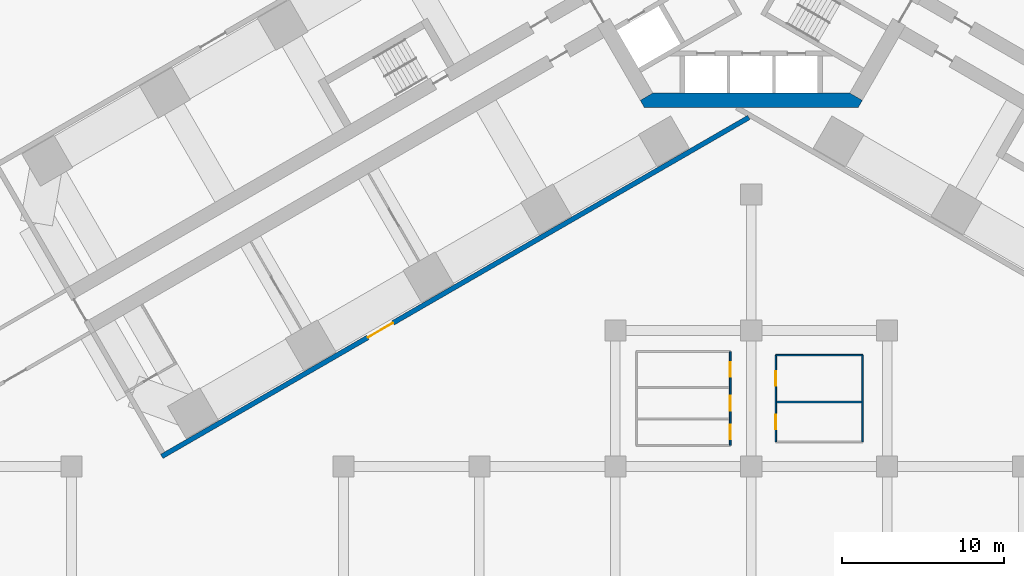
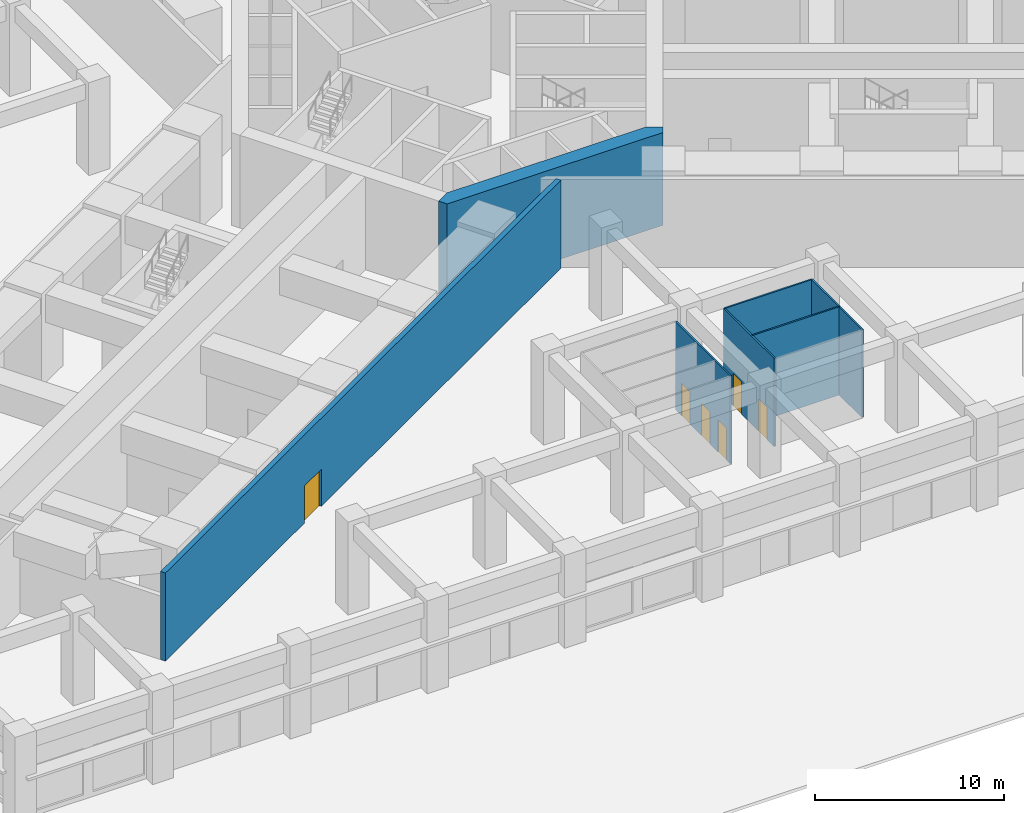
# One storey, part 7 of 33: 7 walls, 6 doors, 6 openings.
"""IFC4 building model written with IfcOpenShell, lengths in metres."""

from ifc_helpers import new_model, si_unit, direction, frame, frame_2d, origin, place, context, subcontext, project, spatial, polyline, rectangle, outline, extrude, material, layer, layer_set, type_object, element, fill, save


model = new_model("IFC4")

# Units and contexts
model_context = context("Model", 3, precision=1e-05, world=origin(), true_north=direction((0.0, 1.0)))
body_context = subcontext(model_context, "Body", "Model", "MODEL_VIEW")
ifc_project = project(units=[si_unit("LENGTHUNIT", "METRE"), si_unit("AREAUNIT", "SQUARE_METRE"), si_unit("VOLUMEUNIT", "CUBIC_METRE"), si_unit("PLANEANGLEUNIT", "RADIAN"), si_unit("MASSUNIT", "GRAM", prefix="KILO")], contexts=[model_context])

# Site, building, storey
site_placement = place(None, origin())
site = spatial("IfcSite", under=ifc_project, at=site_placement, CompositionType="ELEMENT")
building_placement = place(site_placement, origin())
building = spatial("IfcBuilding", under=site, at=building_placement, Name="Impinga Residences", CompositionType="ELEMENT")
storey_placement = place(building_placement, origin())
storey = spatial("IfcBuildingStorey", under=building, at=storey_placement, Name="L00", CompositionType="ELEMENT", Elevation=0.0)

# Wall, openings, doors
ifc_material_1 = material(Name="Gypsum board on steel studs", Category="steel")
ifc_layer_1 = layer(ifc_material_1, 0.10009765625)
ifc_layer_set_1 = layer_set([ifc_layer_1], Name="Gypsum board on steel studs")
wall_type_1 = type_object("IfcWallType", Name="IP1 partition 100", PredefinedType="PARTITIONING", material=ifc_layer_set_1)
wall_1_placement = place(storey_placement, frame((-1.300048828125, -32.300048828125, 0.0), z_axis=(0.0, 0.0, 1.0), x_axis=(0.0, 1.0, 0.0)))
wall_1 = element("IfcWall", 1, at=wall_1_placement, inside=storey, type_object=wall_type_1, Name="Partition L00:REG:S:BLKE", PredefinedType="PARTITIONING", context=body_context, shape_type="SweptSolid", body=[
    extrude(rectangle(XDim=5.800048828125, YDim=0.10009765625, at=frame_2d((2.89990234375, 0.0))), origin(), (0.0, 0.0, 1.0), 5.699951171875),
])
opening_1_placement = place(wall_1_placement, frame((0.369140625, 0.0, 0.0)))
opening_1 = element("IfcOpeningElement", 2, at=opening_1_placement, cuts=wall_1, Name="Opening D2", PredefinedType="OPENING", context=body_context, shape_type="SweptSolid", body=[
    extrude(rectangle(XDim=0.89990234375, YDim=2.10009765625, at=frame_2d((0.449951171875, 1.050048828125))), frame((0.0, 0.06005859375, 0.0), z_axis=(0.0, -1.0, 0.0), x_axis=(1.0, 0.0, 0.0)), (0.0, 0.0, 1.0), 0.1201171875),
])
opening_2_placement = place(wall_1_placement, frame((2.155029296875, 0.0, 0.0)))
opening_2 = element("IfcOpeningElement", 3, at=opening_2_placement, cuts=wall_1, Name="Opening D2", PredefinedType="OPENING", context=body_context, shape_type="SweptSolid", body=[
    extrude(rectangle(XDim=0.89990234375, YDim=2.10009765625, at=frame_2d((0.449951171875, 1.050048828125))), frame((0.0, 0.06005859375, 0.0), z_axis=(0.0, -1.0, 0.0), x_axis=(1.0, 0.0, 0.0)), (0.0, 0.0, 1.0), 0.1201171875),
])
opening_3_placement = place(wall_1_placement, frame((4.23583984375, 0.0, 0.0)))
opening_3 = element("IfcOpeningElement", 4, at=opening_3_placement, cuts=wall_1, Name="Opening D2", PredefinedType="OPENING", context=body_context, shape_type="SweptSolid", body=[
    extrude(rectangle(XDim=0.89990234375, YDim=2.10009765625, at=frame_2d((0.449951171875, 1.050048828125))), frame((0.0, 0.06005859375, 0.0), z_axis=(0.0, -1.0, 0.0), x_axis=(1.0, 0.0, 0.0)), (0.0, 0.0, 1.0), 0.1201171875),
])
ifc_material_2 = material(Name="Timber door set", Category="wood")
door_type_1 = type_object("IfcDoorType", Name="D2 internal door 900x2100", OperationType="SINGLE_SWING_LEFT", PredefinedType="DOOR", material=ifc_material_2)
door_1_placement = place(opening_1_placement, origin())
door_1 = element("IfcDoor", 5, at=door_1_placement, inside=storey, type_object=door_type_1, Name="Concierge office door", OperationType="SINGLE_SWING_LEFT", OverallHeight=2.10009765625, OverallWidth=0.89990234375, PredefinedType="DOOR", context=body_context, shape_type="SweptSolid", body=[
    extrude(rectangle(XDim=0.89990234375, YDim=2.10009765625, at=frame_2d((0.449951171875, 1.050048828125))), frame((0.0, 0.02490234375, 0.0), z_axis=(0.0, -1.0, 0.0), x_axis=(1.0, 0.0, 0.0)), (0.0, 0.0, 1.0), 0.050048828125),
])
fill(opening_1, door_1)
door_2_placement = place(opening_2_placement, origin())
door_2 = element("IfcDoor", 6, at=door_2_placement, inside=storey, type_object=door_type_1, Name="Mail and parcel room door", OperationType="SINGLE_SWING_LEFT", OverallHeight=2.10009765625, OverallWidth=0.89990234375, PredefinedType="DOOR", context=body_context, shape_type="SweptSolid", body=[
    extrude(rectangle(XDim=0.89990234375, YDim=2.10009765625, at=frame_2d((0.449951171875, 1.050048828125))), frame((0.0, 0.02490234375, 0.0), z_axis=(0.0, -1.0, 0.0), x_axis=(1.0, 0.0, 0.0)), (0.0, 0.0, 1.0), 0.050048828125),
])
fill(opening_2, door_2)
door_3_placement = place(opening_3_placement, origin())
door_3 = element("IfcDoor", 7, at=door_3_placement, inside=storey, type_object=door_type_1, Name="Management office door", OperationType="SINGLE_SWING_RIGHT", OverallHeight=2.10009765625, OverallWidth=0.89990234375, PredefinedType="DOOR", context=body_context, shape_type="SweptSolid", body=[
    extrude(rectangle(XDim=0.89990234375, YDim=2.10009765625, at=frame_2d((0.449951171875, 1.050048828125))), frame((0.0, 0.02490234375, 0.0), z_axis=(0.0, -1.0, 0.0), x_axis=(1.0, 0.0, 0.0)), (0.0, 0.0, 1.0), 0.050048828125),
])
fill(opening_3, door_3)

# Walls
wall_2_placement = place(storey_placement, frame((6.8798828125, -32.080078125, 0.0), z_axis=(0.0, 0.0, 1.0), x_axis=(0.0, 1.0, 0.0)))
element("IfcWall", 8, at=wall_2_placement, inside=storey, type_object=wall_type_1, Name="Partition L00:REG:S:B2:BLKE", PredefinedType="PARTITIONING", context=body_context, shape_type="SweptSolid", body=[
    extrude(rectangle(XDim=5.360107421875, YDim=0.10009765625, at=frame_2d((2.68017578125, 0.0))), origin(), (0.0, 0.0, 1.0), 5.699951171875),
])
wall_3_placement = place(storey_placement, frame((6.8798828125, -26.719970703125, 0.0), z_axis=(0.0, 0.0, 1.0), x_axis=(-1.0, 0.0, 0.0)))
element("IfcWall", 9, at=wall_3_placement, inside=storey, type_object=wall_type_1, Name="Partition L00:REG:S:B2:BLKN", PredefinedType="PARTITIONING", context=body_context, shape_type="SweptSolid", body=[
    extrude(rectangle(XDim=5.35986328125, YDim=0.10009765625, at=frame_2d((2.679931640625, 0.0))), origin(), (0.0, 0.0, 1.0), 5.699951171875),
])

# Wall, openings, doors
wall_4_placement = place(storey_placement, frame((1.52001953125, -26.719970703125, 0.0), z_axis=(0.0, 0.0, 1.0), x_axis=(0.0, -1.0, 0.0)))
wall_4 = element("IfcWall", 10, at=wall_4_placement, inside=storey, type_object=wall_type_1, Name="Partition L00:REG:S:B2:BLKW", PredefinedType="PARTITIONING", context=body_context, shape_type="SweptSolid", body=[
    extrude(rectangle(XDim=5.360107421875, YDim=0.10009765625, at=frame_2d((2.68017578125, 0.0))), origin(), (0.0, 0.0, 1.0), 5.699951171875),
])
opening_4_placement = place(wall_4_placement, frame((3.6806640625, 0.0, 0.0)))
opening_4 = element("IfcOpeningElement", 11, at=opening_4_placement, cuts=wall_4, Name="Opening D2", PredefinedType="OPENING", context=body_context, shape_type="SweptSolid", body=[
    extrude(rectangle(XDim=0.89990234375, YDim=2.10009765625, at=frame_2d((0.449951171875, 1.050048828125))), frame((0.0, 0.06005859375, 0.0), z_axis=(0.0, -1.0, 0.0), x_axis=(1.0, 0.0, 0.0)), (0.0, 0.0, 1.0), 0.1201171875),
])
opening_5_placement = place(wall_4_placement, frame((1.000732421875, 0.0, 0.0)))
opening_5 = element("IfcOpeningElement", 12, at=opening_5_placement, cuts=wall_4, Name="Opening D2", PredefinedType="OPENING", context=body_context, shape_type="SweptSolid", body=[
    extrude(rectangle(XDim=0.89990234375, YDim=2.10009765625, at=frame_2d((0.449951171875, 1.050048828125))), frame((0.0, 0.06005859375, 0.0), z_axis=(0.0, -1.0, 0.0), x_axis=(1.0, 0.0, 0.0)), (0.0, 0.0, 1.0), 0.1201171875),
])
door_4_placement = place(opening_4_placement, origin())
door_4 = element("IfcDoor", 13, at=door_4_placement, inside=storey, type_object=door_type_1, Name="Security office door", OperationType="SINGLE_SWING_RIGHT", OverallHeight=2.10009765625, OverallWidth=0.89990234375, PredefinedType="DOOR", context=body_context, shape_type="SweptSolid", body=[
    extrude(rectangle(XDim=0.89990234375, YDim=2.10009765625, at=frame_2d((0.449951171875, 1.050048828125))), frame((0.0, 0.02490234375, 0.0), z_axis=(0.0, -1.0, 0.0), x_axis=(1.0, 0.0, 0.0)), (0.0, 0.0, 1.0), 0.050048828125),
])
fill(opening_4, door_4)
door_5_placement = place(opening_5_placement, origin())
door_5 = element("IfcDoor", 14, at=door_5_placement, inside=storey, type_object=door_type_1, Name="Cleaners' store door", OperationType="SINGLE_SWING_LEFT", OverallHeight=2.10009765625, OverallWidth=0.89990234375, PredefinedType="DOOR", context=body_context, shape_type="SweptSolid", body=[
    extrude(rectangle(XDim=0.89990234375, YDim=2.10009765625, at=frame_2d((0.449951171875, 1.050048828125))), frame((0.0, 0.02490234375, 0.0), z_axis=(0.0, -1.0, 0.0), x_axis=(1.0, 0.0, 0.0)), (0.0, 0.0, 1.0), 0.050048828125),
])
fill(opening_5, door_5)

# Wall
wall_5_placement = place(storey_placement, frame((1.52001953125, -29.621337890625, 0.0), z_axis=(0.0, 0.0, 1.0), x_axis=(1.0, 0.0, 0.0)))
element("IfcWall", 15, at=wall_5_placement, inside=storey, type_object=wall_type_1, Name="Partition L00:REG:S:B2:BLKP1", PredefinedType="PARTITIONING", context=body_context, shape_type="SweptSolid", body=[
    extrude(rectangle(XDim=5.35986328125, YDim=0.10009765625, at=frame_2d((2.679931640625, 0.0))), origin(), (0.0, 0.0, 1.0), 5.699951171875),
])

# Wall, opening, door
ifc_material_3 = material(Name="Concrete blockwork", Category="masonry")
ifc_layer_2 = layer(ifc_material_3, 0.300048828125)
ifc_layer_set_2 = layer_set([ifc_layer_2], Name="PW3 podium wall on the wing face 300")
wall_type_2 = type_object("IfcWallType", Name="PW3 podium wall on the wing face 300", PredefinedType="SOLIDWALL", material=ifc_layer_set_2)
wall_6_placement = place(storey_placement, frame((-0.14990234375, -12.037841796875, 0.0), z_axis=(0.0, 0.0, 1.0), x_axis=(-0.866026292622, -0.499998460486, 0.0)))
wall_6 = element("IfcWall", 16, at=wall_6_placement, inside=storey, type_object=wall_type_2, Name="Podium wall on the wing face L00:SIDE:WA0", PredefinedType="SOLIDWALL", context=body_context, shape_type="SweptSolid", body=[
    extrude(rectangle(XDim=41.883056640625, YDim=0.300048828125, at=frame_2d((20.94140625, 0.0))), origin(), (0.0, 0.0, 1.0), 5.699951171875),
])
opening_6_placement = place(wall_6_placement, frame((25.3828125, 0.0, 0.0)))
opening_6 = element("IfcOpeningElement", 17, at=opening_6_placement, cuts=wall_6, Name="Opening D7", PredefinedType="OPENING", context=body_context, shape_type="SweptSolid", body=[
    extrude(rectangle(XDim=1.800048828125, YDim=2.39990234375, at=frame_2d((0.89990234375, 1.199951171875))), frame((0.0, 0.159912109375, 0.0), z_axis=(0.0, -1.0, 0.0), x_axis=(1.0, 0.0, 0.0)), (0.0, 0.0, 1.0), 0.320068359375),
])
door_type_2 = type_object("IfcDoorType", Name="D7 podium door pair 1800x2400", OperationType="DOUBLE_DOOR_DOUBLE_SWING", PredefinedType="DOOR", material=ifc_material_2)
door_6_placement = place(opening_6_placement, origin())
door_6 = element("IfcDoor", 18, at=door_6_placement, inside=storey, type_object=door_type_2, Name="Double door WA", OperationType="DOUBLE_DOOR_DOUBLE_SWING", OverallHeight=2.39990234375, OverallWidth=1.800048828125, PredefinedType="DOOR", context=body_context, shape_type="SweptSolid", body=[
    extrude(rectangle(XDim=1.800048828125, YDim=2.39990234375, at=frame_2d((0.89990234375, 1.199951171875))), frame((0.0, 0.02490234375, 0.0), z_axis=(0.0, -1.0, 0.0), x_axis=(1.0, 0.0, 0.0)), (0.0, 0.0, 1.0), 0.050048828125),
])
fill(opening_6, door_6)

# Wall
ifc_material_4 = material(Name="Concrete C70/85", Category="concrete")
ifc_layer_3 = layer(ifc_material_4, 0.89990234375)
ifc_layer_set_3 = layer_set([ifc_layer_3], Name="Concrete C70/85")
wall_type_3 = type_object("IfcWallType", Name="SW1 core wall 900", PredefinedType="SHEAR", material=ifc_layer_set_3)
wall_7_placement = place(storey_placement, origin())
element("IfcWall", 19, at=wall_7_placement, inside=storey, type_object=wall_type_3, Name="Core wall SW1 N:EXPOSED L00", PredefinedType="SHEAR", context=body_context, shape_type="SweptSolid", body=[
    extrude(outline(polyline([(-6.60009765625, -11.431640625), (6.60009765625, -11.431640625), (6.85986328125, -10.9814453125), (6.080322265625, -10.531494140625), (-6.080322265625, -10.531494140625), (-6.85986328125, -10.9814453125), (-6.60009765625, -11.431640625)])), origin(), (0.0, 0.0, 1.0), 6.0),
])

save(model, "model.ifc")
